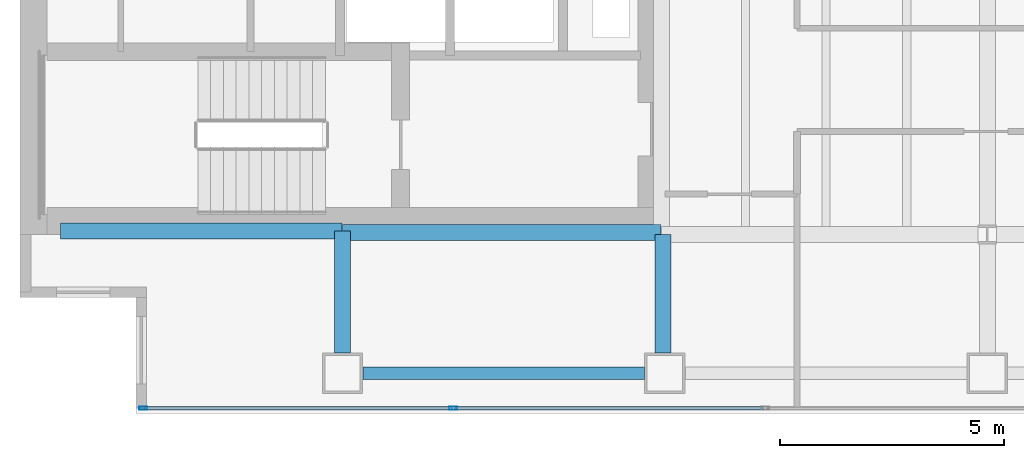
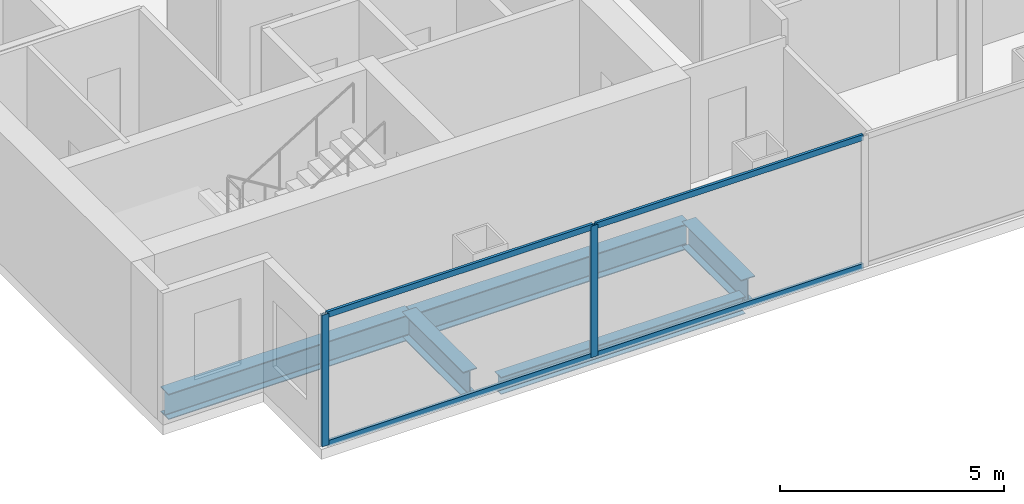
# One storey, part 2 of 23: 6 members, 5 beams, 1 element without a shape of its own.
"""IFC4 building model written with IfcOpenShell, lengths in metres."""

from ifc_helpers import new_model, si_unit, direction, frame, origin, origin_2d, place, context, subcontext, project, spatial, hollow_rectangle, i_section, extrude, material, material_profile, profile_set, type_object, element, aggregate, save


model = new_model("IFC4")

# Units and contexts
model_context = context("Model", 3, precision=1e-05, world=origin(), true_north=direction((0.0, 1.0)))
body_context = subcontext(model_context, "Body", "Model", "MODEL_VIEW")
ifc_project = project(units=[si_unit("LENGTHUNIT", "METRE"), si_unit("AREAUNIT", "SQUARE_METRE"), si_unit("VOLUMEUNIT", "CUBIC_METRE"), si_unit("PLANEANGLEUNIT", "RADIAN"), si_unit("MASSUNIT", "GRAM", prefix="KILO")], contexts=[model_context])

# Site, building, storey
site_placement = place(None, origin())
site = spatial("IfcSite", under=ifc_project, at=site_placement, CompositionType="ELEMENT")
building_placement = place(site_placement, origin())
building = spatial("IfcBuilding", under=site, at=building_placement, Name="Cobrela Telecom Tower", CompositionType="ELEMENT")
storey_placement = place(building_placement, frame((0.0, 0.0, 144.550048828125)))
storey = spatial("IfcBuildingStorey", under=building, at=storey_placement, Name="L36", CompositionType="ELEMENT", Elevation=144.550048828125)

# Beams
ifc_material_1 = material(Name="Steel ASTM A992 Grade 50", Category="steel")
ifc_material_profile_1 = material_profile(ifc_material_1, i_section(OverallWidth=0.35595703125, OverallDepth=0.696044921875, WebThickness=0.015380859375, FlangeThickness=0.024658203125, FilletRadius=0.01806640625, at=origin_2d()), Name="W27X146")
ifc_profile_set_1 = profile_set([ifc_material_profile_1], Name="Steel ASTM A992 Grade 50")
beam_type_1 = type_object("IfcBeamType", Name="BM-GIRD-05", PredefinedType="USERDEFINED", material=ifc_profile_set_1)
beam_1_placement = place(storey_placement, frame((0.905029296875, 7.280029296875, -0.6181640625), z_axis=(1.0, 0.0, 0.0), x_axis=(0.0, 1.0, 0.0)))
element("IfcBeam", 1, at=beam_1_placement, inside=storey, type_object=beam_type_1, Name="L36 Primary Girder X06", ObjectType="GIRDER", PredefinedType="USERDEFINED", context=body_context, shape_type="SweptSolid", body=[
    extrude(i_section(OverallWidth=0.35595703125, OverallDepth=0.696044921875, WebThickness=0.015380859375, FlangeThickness=0.024658203125, FilletRadius=0.01806640625, at=origin_2d()), origin(), (0.0, 0.0, 1.0), 6.2900390625),
])
beam_2_placement = place(storey_placement, frame((7.205078125, 7.239990234375, -0.6181640625), z_axis=(1.0, 0.0, 0.0), x_axis=(0.0, 1.0, 0.0)))
element("IfcBeam", 2, at=beam_2_placement, inside=storey, type_object=beam_type_1, Name="L36 Primary Girder X07", ObjectType="GIRDER", PredefinedType="USERDEFINED", context=body_context, shape_type="SweptSolid", body=[
    extrude(i_section(OverallWidth=0.35595703125, OverallDepth=0.696044921875, WebThickness=0.015380859375, FlangeThickness=0.024658203125, FilletRadius=0.01806640625, at=origin_2d()), origin(), (0.0, 0.0, 1.0), 7.10986328125),
])
beam_3_placement = place(storey_placement, frame((7.199951171875, 4.554931640625, -0.6181640625), z_axis=(0.0, 1.0, 0.0), x_axis=(-1.0, 0.0, 0.0)))
element("IfcBeam", 3, at=beam_3_placement, inside=storey, type_object=beam_type_1, Name="L36 Primary Girder Y31", ObjectType="GIRDER", PredefinedType="USERDEFINED", context=body_context, shape_type="SweptSolid", body=[
    extrude(i_section(OverallWidth=0.35595703125, OverallDepth=0.696044921875, WebThickness=0.015380859375, FlangeThickness=0.024658203125, FilletRadius=0.01806640625, at=origin_2d()), origin(), (0.0, 0.0, 1.0), 2.719970703125),
])
beam_4_placement = place(storey_placement, frame((14.360107421875, 4.554931640625, -0.6181640625), z_axis=(0.0, 1.0, 0.0), x_axis=(-1.0, 0.0, 0.0)))
element("IfcBeam", 4, at=beam_4_placement, inside=storey, type_object=beam_type_1, Name="L36 Primary Girder Y33", ObjectType="GIRDER", PredefinedType="USERDEFINED", context=body_context, shape_type="SweptSolid", body=[
    extrude(i_section(OverallWidth=0.35595703125, OverallDepth=0.696044921875, WebThickness=0.015380859375, FlangeThickness=0.024658203125, FilletRadius=0.01806640625, at=origin_2d()), origin(), (0.0, 0.0, 1.0), 2.64013671875),
])
ifc_material_profile_2 = material_profile(ifc_material_1, i_section(OverallWidth=0.281982421875, OverallDepth=0.467041015625, WebThickness=0.01220703125, FlangeThickness=0.01953125, FilletRadius=0.012939453125, at=origin_2d()), Name="W18X86")
ifc_profile_set_2 = profile_set([ifc_material_profile_2], Name="Steel ASTM A992 Grade 50")
beam_type_2 = type_object("IfcBeamType", Name="BM-SPAND-04", PredefinedType="SPANDREL", material=ifc_profile_set_2)
beam_5_placement = place(storey_placement, frame((7.655029296875, 4.10009765625, -0.503662109375), z_axis=(1.0, 0.0, 0.0), x_axis=(0.0, 1.0, 0.0)))
element("IfcBeam", 5, at=beam_5_placement, inside=storey, type_object=beam_type_2, Name="L36 Perimeter Spandrel X01", PredefinedType="SPANDREL", context=body_context, shape_type="SweptSolid", body=[
    extrude(i_section(OverallWidth=0.281982421875, OverallDepth=0.467041015625, WebThickness=0.01220703125, FlangeThickness=0.01953125, FilletRadius=0.012939453125, at=origin_2d()), origin(), (0.0, 0.0, 1.0), 6.2900390625),
])

# Curtain wall, members
ifc_material_2 = material(Name="Anodized Bronze Aluminium 6063-T6", Category="aluminium")
curtain_wall_type = type_object("IfcCurtainWallType", Name="CW-SYS-TEL", PredefinedType="USERDEFINED", material=ifc_material_2)
curtain_wall_placement = place(storey_placement, origin())
curtain_wall = element("IfcCurtainWall", 6, at=curtain_wall_placement, inside=storey, type_object=curtain_wall_type, Name="L36 Unitised Bronze Curtain Wall 17", ObjectType="UNITISED CURTAIN WALL", PredefinedType="USERDEFINED")
ifc_material_profile_3 = material_profile(ifc_material_2, hollow_rectangle(XDim=0.074951171875, YDim=0.179931640625, WallThickness=0.00390625, at=origin_2d()), Name="ALU 75x180x4")
ifc_profile_set_3 = profile_set([ifc_material_profile_3], Name="Anodized Bronze Aluminium 6063-T6")
member_type_1 = type_object("IfcMemberType", Name="CW-SYS-TEL-MUL", PredefinedType="MULLION", material=ifc_profile_set_3)
member_1_placement = place(storey_placement, frame((9.67333984375, 3.320068359375, 0.0), z_axis=(0.0, 0.0, 1.0), x_axis=(0.0, -1.0, 0.0)))
member_1 = element("IfcMember", 7, at=member_1_placement, type_object=member_type_1, Name="CW-TEL mullion 6", PredefinedType="MULLION", context=body_context, shape_type="SweptSolid", body=[
    extrude(hollow_rectangle(XDim=0.074951171875, YDim=0.179931640625, WallThickness=0.00390625, at=origin_2d()), origin(), (0.0, 0.0, 1.0), 3.579833984375),
])
member_2_placement = place(storey_placement, frame((2.74755859375, 3.320068359375, 0.0), z_axis=(0.0, 0.0, 1.0), x_axis=(0.0, -1.0, 0.0)))
member_2 = element("IfcMember", 8, at=member_2_placement, type_object=member_type_1, Name="CW-TEL mullion 7", PredefinedType="MULLION", context=body_context, shape_type="SweptSolid", body=[
    extrude(hollow_rectangle(XDim=0.074951171875, YDim=0.179931640625, WallThickness=0.00390625, at=origin_2d()), origin(), (0.0, 0.0, 1.0), 3.579833984375),
])
ifc_material_profile_4 = material_profile(ifc_material_2, hollow_rectangle(XDim=0.070068359375, YDim=0.159912109375, WallThickness=0.00390625, at=origin_2d()), Name="ALU 70x160x4")
ifc_profile_set_4 = profile_set([ifc_material_profile_4], Name="Anodized Bronze Aluminium 6063-T6")
member_type_2 = type_object("IfcMemberType", Name="CW-SYS-TEL-TRN", PredefinedType="USERDEFINED", material=ifc_profile_set_4)
member_3_placement = place(storey_placement, frame((16.59912109375, 3.320068359375, 0.034912109375), z_axis=(-1.0, 0.0, 0.0), x_axis=(0.0, -1.0, 0.0)))
member_3 = element("IfcMember", 9, at=member_3_placement, type_object=member_type_2, Name="CW-TEL transom 5.1", ObjectType="TRANSOM", PredefinedType="USERDEFINED", context=body_context, shape_type="SweptSolid", body=[
    extrude(hollow_rectangle(XDim=0.070068359375, YDim=0.159912109375, WallThickness=0.00390625, at=origin_2d()), origin(), (0.0, 0.0, 1.0), 6.88818359375),
])
member_4_placement = place(storey_placement, frame((16.59912109375, 3.320068359375, 3.544921875), z_axis=(-1.0, 0.0, 0.0), x_axis=(0.0, -1.0, 0.0)))
member_4 = element("IfcMember", 10, at=member_4_placement, type_object=member_type_2, Name="CW-TEL transom 5.2", ObjectType="TRANSOM", PredefinedType="USERDEFINED", context=body_context, shape_type="SweptSolid", body=[
    extrude(hollow_rectangle(XDim=0.070068359375, YDim=0.159912109375, WallThickness=0.00390625, at=origin_2d()), origin(), (0.0, 0.0, 1.0), 6.88818359375),
])
member_5_placement = place(storey_placement, frame((9.6357421875, 3.320068359375, 0.034912109375), z_axis=(-1.0, 0.0, 0.0), x_axis=(0.0, -1.0, 0.0)))
member_5 = element("IfcMember", 11, at=member_5_placement, type_object=member_type_2, Name="CW-TEL transom 6.1", ObjectType="TRANSOM", PredefinedType="USERDEFINED", context=body_context, shape_type="SweptSolid", body=[
    extrude(hollow_rectangle(XDim=0.070068359375, YDim=0.159912109375, WallThickness=0.00390625, at=origin_2d()), origin(), (0.0, 0.0, 1.0), 6.850830078125),
])
member_6_placement = place(storey_placement, frame((9.6357421875, 3.320068359375, 3.544921875), z_axis=(-1.0, 0.0, 0.0), x_axis=(0.0, -1.0, 0.0)))
member_6 = element("IfcMember", 12, at=member_6_placement, type_object=member_type_2, Name="CW-TEL transom 6.2", ObjectType="TRANSOM", PredefinedType="USERDEFINED", context=body_context, shape_type="SweptSolid", body=[
    extrude(hollow_rectangle(XDim=0.070068359375, YDim=0.159912109375, WallThickness=0.00390625, at=origin_2d()), origin(), (0.0, 0.0, 1.0), 6.850830078125),
])
aggregate(curtain_wall, [member_1, member_2, member_3, member_4, member_5, member_6])

save(model, "model.ifc")
